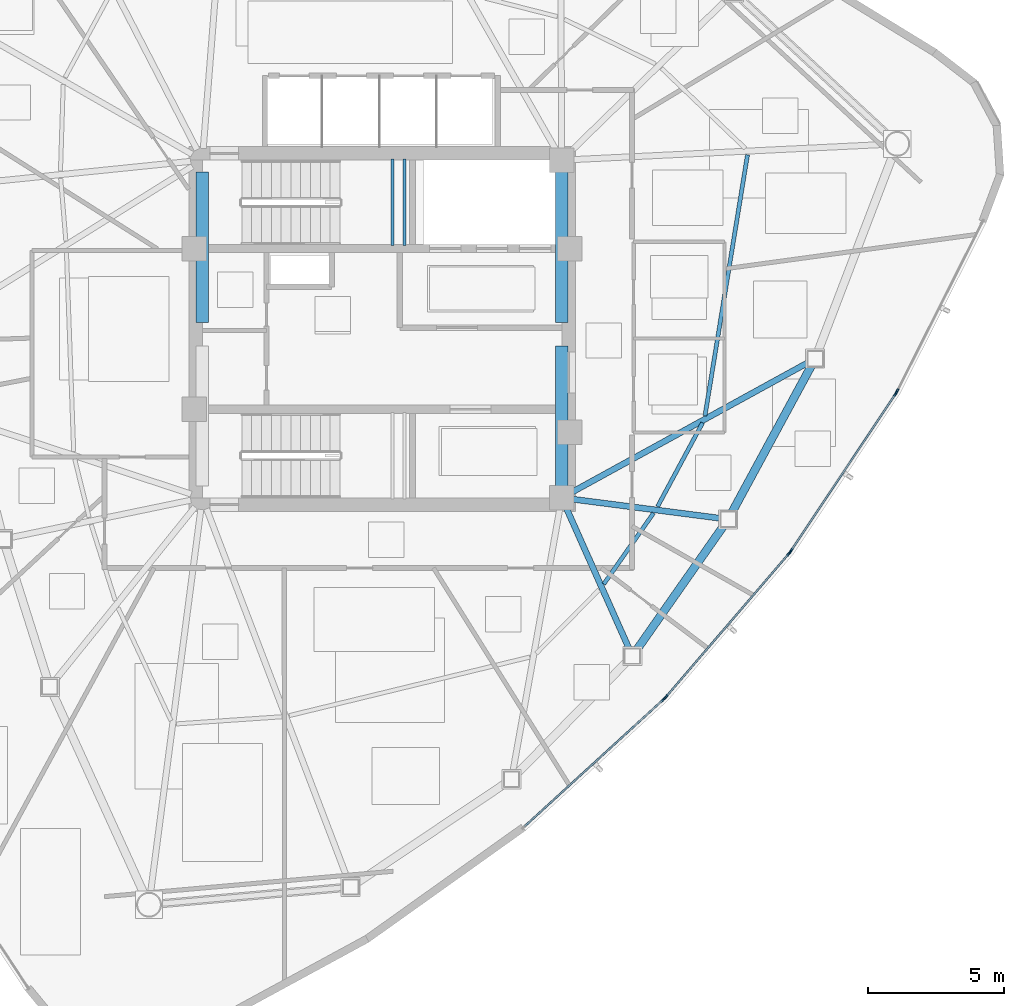
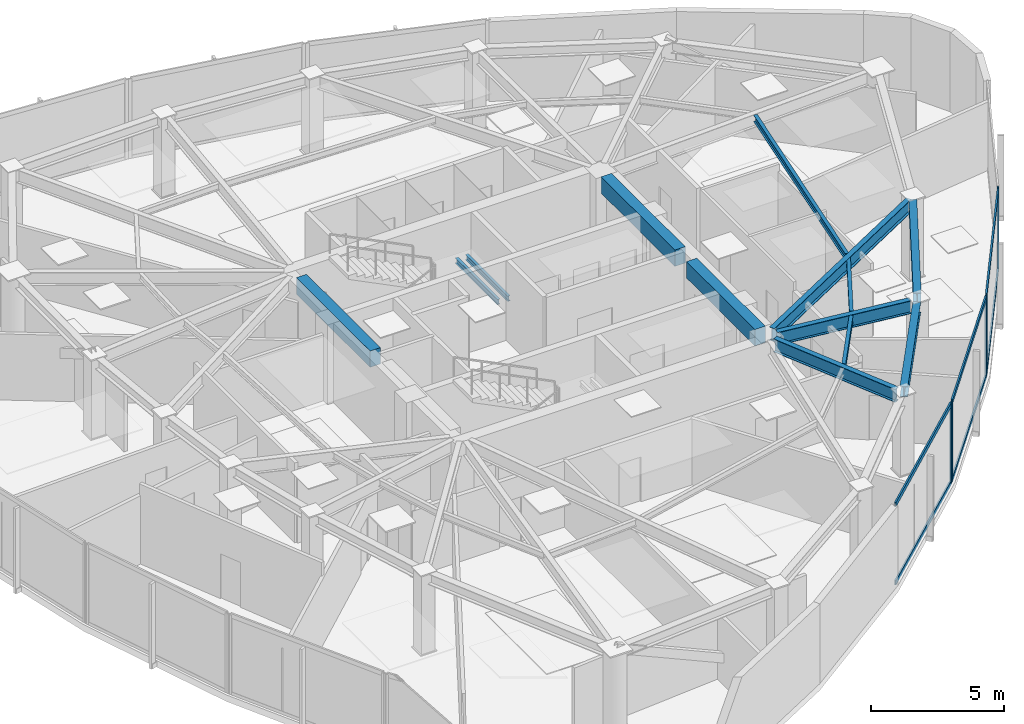
# One storey, part 4 of 14: 13 beams, 12 members, 4 elements without a shape of their own.
"""IFC4 building model written with IfcOpenShell, lengths in metres."""

import ifcopenshell
import ifcopenshell.guid

model = None  # the IFC model being written
_history = None  # IfcOwnerHistory: only IFC2X3 demands one
_inside = {}  # id of a spatial element -> (the spatial element, [elements in it])
_under = {}  # id of a project, library or spatial element -> (it, [spatial elements below it])
_declared = {}  # id of a project -> (the project, [libraries it declares])
_typed = {}  # id of a type object -> (the type object, [elements of that type])
_made_of = {}  # id of a material, layer set ... -> (it, [elements and type objects made of it])


def new_model(schema):
    """Start an empty IFC model of exactly this schema.

    Asked for "IFC4X3", IfcOpenShell would pick the latest addendum, in which some entities
    have other attributes; the version numbers below select the first issue.
    IFC2X3 requires an IfcOwnerHistory on every rooted entity: one is made here for all.
    """
    global model, _history
    if schema == "IFC4X3":
        model = ifcopenshell.file(schema_version=(4, 3, 0, 0))
    else:
        model = ifcopenshell.file(schema=schema)
    _inside.clear()
    _under.clear()
    _declared.clear()
    _typed.clear()
    _made_of.clear()
    _history = None
    if model.schema == "IFC2X3":
        org = make("IfcOrganization", Name="unknown")
        user = make(
            "IfcPersonAndOrganization",
            ThePerson=make("IfcPerson", FamilyName="unknown"),
            TheOrganization=org,
        )
        app = make(
            "IfcApplication",
            ApplicationDeveloper=org,
            Version="unknown",
            ApplicationFullName="unknown",
            ApplicationIdentifier="unknown",
        )
        _history = make(
            "IfcOwnerHistory",
            OwningUser=user,
            OwningApplication=app,
            ChangeAction="ADDED",
            CreationDate=0,
        )
    return model


def make(cls, **values):
    """One entity of the class cls with the attributes given. An attribute that is None is left unset."""
    return model.create_entity(
        cls, **{name: value for name, value in values.items() if value is not None}
    )


def rooted(cls, **values):
    """An entity with a GlobalId (a new one), such as an element, a storey or a relation."""
    return make(cls, GlobalId=ifcopenshell.guid.new(), OwnerHistory=_history, **values)


def si_unit(unit_type, name, prefix=None):
    """IfcSIUnit, for example si_unit("LENGTHUNIT", "METRE", prefix="MILLI")."""
    return make("IfcSIUnit", UnitType=unit_type, Prefix=prefix, Name=name)


def assignment(units):
    """IfcUnitAssignment: the units of a project."""
    return None if units is None else make("IfcUnitAssignment", Units=units)


def point(xyz):
    """IfcCartesianPoint."""
    return None if xyz is None else make("IfcCartesianPoint", Coordinates=xyz)


def direction(xyz):
    """IfcDirection."""
    return None if xyz is None else make("IfcDirection", DirectionRatios=xyz)


def frame(location, z_axis=None, x_axis=None):
    """IfcAxis2Placement3D, a coordinate frame: its origin and axes. An axis left out is left unset."""
    return make(
        "IfcAxis2Placement3D",
        Location=point(location),
        Axis=direction(z_axis),
        RefDirection=direction(x_axis),
    )


def frame_2d(location, x_axis=None):
    """IfcAxis2Placement2D, a coordinate frame in the plane: its origin and x axis."""
    return make(
        "IfcAxis2Placement2D", Location=point(location), RefDirection=direction(x_axis)
    )


def origin():
    """The frame at (0, 0, 0) with its axes left unset."""
    return frame((0.0, 0.0, 0.0))


def origin_2d():
    """The frame at (0, 0) in the plane with its x axis left unset."""
    return frame_2d((0.0, 0.0))


def place(relative_to, where):
    """IfcLocalPlacement: puts the frame where relative to a parent placement (None: the world)."""
    return make(
        "IfcLocalPlacement", PlacementRelTo=relative_to, RelativePlacement=where
    )


def context(
    kind, dimensions, precision=None, world=None, true_north=None, identifier=None
):
    """IfcGeometricRepresentationContext, for example the 3D "Model" context."""
    return make(
        "IfcGeometricRepresentationContext",
        ContextIdentifier=identifier,
        ContextType=kind,
        CoordinateSpaceDimension=dimensions,
        Precision=precision,
        WorldCoordinateSystem=world,
        TrueNorth=true_north,
    )


def subcontext(parent, identifier, kind, view, scale=None):
    """IfcGeometricRepresentationSubContext, for example "Body" below "Model"."""
    return make(
        "IfcGeometricRepresentationSubContext",
        ContextIdentifier=identifier,
        ContextType=kind,
        ParentContext=parent,
        TargetScale=scale,
        TargetView=view,
    )


def project(units=None, contexts=None):
    """IfcProject with its units and contexts."""
    return rooted(
        "IfcProject",
        Name="project",
        RepresentationContexts=contexts,
        UnitsInContext=assignment(units),
    )


def spatial(cls, under=None, at=None, **own):
    """A site, building, storey or space (cls), placed at a placement, below another one or the project."""
    s = rooted(cls, ObjectPlacement=at, **own)
    if under is not None:
        _under.setdefault(under.id(), (under, []))[1].append(s)
    return s


def profile(cls, at=None, kind="AREA", **sizes):
    """A parametric profile (cls). Its sizes go by their IFC names, for example OverallWidth=200.0."""
    return make(cls, ProfileType=kind, Position=at, **sizes)


def rectangle(**sizes):
    """IfcRectangleProfileDef."""
    return profile("IfcRectangleProfileDef", **sizes)


def hollow_rectangle(**sizes):
    """IfcRectangleHollowProfileDef."""
    return profile("IfcRectangleHollowProfileDef", **sizes)


def i_section(**sizes):
    """IfcIShapeProfileDef."""
    return profile("IfcIShapeProfileDef", **sizes)


def extrude(swept, where, along, depth):
    """IfcExtrudedAreaSolid: the profile swept, set in the frame where, extruded along a direction by depth."""
    return make(
        "IfcExtrudedAreaSolid",
        SweptArea=swept,
        Position=where,
        ExtrudedDirection=direction(along),
        Depth=depth,
    )


def shape(context_of_items, identifier, shape_type, items):
    """IfcShapeRepresentation: the items that make up one representation, for example the "Body"."""
    return make(
        "IfcShapeRepresentation",
        ContextOfItems=context_of_items,
        RepresentationIdentifier=identifier,
        RepresentationType=shape_type,
        Items=items,
    )


def source(mapping_origin, context_of_items, identifier, shape_type, items):
    """IfcRepresentationMap: a shape defined once, which mapped items show again and again."""
    return make(
        "IfcRepresentationMap",
        MappingOrigin=mapping_origin,
        MappedRepresentation=shape(context_of_items, identifier, shape_type, items),
    )


def transform(
    local_origin,
    x_axis=None,
    y_axis=None,
    z_axis=None,
    scale=None,
    scale2=None,
    scale3=None,
    uniform=True,
):
    """IfcCartesianTransformationOperator3D, or its non-uniform kind. x_axis, y_axis, z_axis: its Axis1, 2, 3."""
    if uniform:
        return make(
            "IfcCartesianTransformationOperator3D",
            Axis1=direction(x_axis),
            Axis2=direction(y_axis),
            LocalOrigin=point(local_origin),
            Scale=scale,
            Axis3=direction(z_axis),
        )
    return make(
        "IfcCartesianTransformationOperator3DnonUniform",
        Axis1=direction(x_axis),
        Axis2=direction(y_axis),
        LocalOrigin=point(local_origin),
        Scale=scale,
        Axis3=direction(z_axis),
        Scale2=scale2,
        Scale3=scale3,
    )


def mapped(mapping_source, mapping_target):
    """IfcMappedItem: shows the shape of a source again, moved by a transform."""
    return make(
        "IfcMappedItem", MappingSource=mapping_source, MappingTarget=mapping_target
    )


def material(Name=None, Category=None):
    """IfcMaterial."""
    return make("IfcMaterial", Name=Name, Category=Category)


def layer(
    of_material, thickness, ventilated=None, Name=None, Category=None, Priority=None
):
    """IfcMaterialLayer: one layer of a wall or slab, of a material (None: an air gap)."""
    return make(
        "IfcMaterialLayer",
        Material=of_material,
        LayerThickness=thickness,
        IsVentilated=ventilated,
        Name=Name,
        Category=Category,
        Priority=Priority,
    )


def layer_set(layers, Name=None):
    """IfcMaterialLayerSet."""
    return make("IfcMaterialLayerSet", MaterialLayers=layers, LayerSetName=Name)


def material_profile(
    of_material, cross_section, Name=None, Category=None, Priority=None
):
    """IfcMaterialProfile: a cross section and its material."""
    return make(
        "IfcMaterialProfile",
        Name=Name,
        Material=of_material,
        Profile=cross_section,
        Priority=Priority,
        Category=Category,
    )


def profile_set(profiles, Name=None, composite=None):
    """IfcMaterialProfileSet."""
    return make(
        "IfcMaterialProfileSet",
        Name=Name,
        MaterialProfiles=profiles,
        CompositeProfile=composite,
    )


def made_of(thing, what):
    """Note that an element or type object is made of a material, layer set ...; save() writes the relation."""
    if what is not None:
        _made_of.setdefault(what.id(), (what, []))[1].append(thing)
    return thing


def type_object(cls, material=None, **own):
    """A type object (cls), such as IfcWallType, which elements share."""
    return made_of(rooted(cls, **own), material)


def type_shapes(of_type, sources):
    """Give a type object the sources (RepresentationMaps) that its elements show as mapped items."""
    of_type.RepresentationMaps = sources


def element(
    cls,
    number,
    at=None,
    inside=None,
    cuts=None,
    type_object=None,
    material=None,
    context=None,
    identifier="Body",
    shape_type=None,
    held_by="IfcProductDefinitionShape",
    body=None,
    shapes=None,
    **own,
):
    """One element of the class cls, such as IfcWall. Its Tag is "e" and its number.

    at: its placement. inside: the storey or other place that contains it. cuts: it is an
    opening in that element (IfcRelVoidsElement). A single representation is given by context,
    identifier, shape_type and body (its items); several are given by shapes. held_by: the class
    of the entity that holds the representations. save() writes the other relations.
    """
    e = rooted(cls, Tag="e%d" % number, ObjectPlacement=at, **own)
    if body is not None:
        shapes = [shape(context, identifier, shape_type, body)]
    if shapes is not None:
        e.Representation = make(held_by, Representations=shapes)
    if inside is not None:
        _inside.setdefault(inside.id(), (inside, []))[1].append(e)
    if cuts is not None:
        rooted(
            "IfcRelVoidsElement", RelatingBuildingElement=cuts, RelatedOpeningElement=e
        )
    if type_object is not None:
        _typed.setdefault(type_object.id(), (type_object, []))[1].append(e)
    return made_of(e, material)


def aggregate(whole, parts):
    """IfcRelAggregates: a whole, such as a stair, and the parts it consists of."""
    return rooted("IfcRelAggregates", RelatingObject=whole, RelatedObjects=parts)


def save(model, path):
    """Write the relations noted so far, then the file.

    IfcRelAggregates (storeys below a building ...), IfcRelContainedInSpatialStructure (elements
    in a storey), IfcRelDefinesByType, IfcRelAssociatesMaterial and IfcRelDeclares: one each for
    every whole, place, type object, material and project.
    """
    for whole, parts in _under.values():
        aggregate(whole, parts)
    for where, things in _inside.values():
        rooted(
            "IfcRelContainedInSpatialStructure",
            RelatedElements=things,
            RelatingStructure=where,
        )
    for kind, things in _typed.values():
        rooted("IfcRelDefinesByType", RelatedObjects=things, RelatingType=kind)
    for what, things in _made_of.values():
        rooted("IfcRelAssociatesMaterial", RelatedObjects=things, RelatingMaterial=what)
    for by, libraries in _declared.values():
        rooted("IfcRelDeclares", RelatingContext=by, RelatedDefinitions=libraries)
    model.write(path)


model = new_model("IFC4")

# Units and contexts
model_context = context("Model", 3, precision=1e-05, world=origin(), true_north=direction((0.0, 1.0)))
body_context = subcontext(model_context, "Body", "Model", "MODEL_VIEW")
ifc_project = project(units=[si_unit("LENGTHUNIT", "METRE"), si_unit("AREAUNIT", "SQUARE_METRE"), si_unit("VOLUMEUNIT", "CUBIC_METRE"), si_unit("PLANEANGLEUNIT", "RADIAN"), si_unit("MASSUNIT", "GRAM", prefix="KILO")], contexts=[model_context])

# Site, building, storey
site_placement = place(None, origin())
site = spatial("IfcSite", under=ifc_project, at=site_placement, CompositionType="ELEMENT")
building_placement = place(site_placement, origin())
building = spatial("IfcBuilding", under=site, at=building_placement, Name="Tavelor Broadcast Tower", CompositionType="ELEMENT")
storey_placement = place(building_placement, frame((0.0, 0.0, 234.0)))
storey = spatial("IfcBuildingStorey", under=building, at=storey_placement, Name="L55", CompositionType="ELEMENT", Elevation=234.0)

# Beams
ifc_material_1 = material(Name="Concrete C40/50", Category="concrete")
ifc_material_profile_1 = material_profile(ifc_material_1, rectangle(XDim=0.449951171875, YDim=0.75, at=origin_2d()), Name="RC 450x750")
ifc_profile_set_1 = profile_set([ifc_material_profile_1], Name="Concrete C40/50")
beam_type_1 = type_object("IfcBeamType", Name="Basement Core Trim Beam 450x750", PredefinedType="BEAM", material=ifc_profile_set_1)
for number, where, z_axis, x_axis, name in (
    (1, (43.39990234375, 45.23193359375, 3.27490234375), (0.0, 1.0, 0.0), (-1.0, 0.0, 0.0), "L55 Core West-N Tie Girder"),
    (2, (56.60009765625, 45.23193359375, 3.27490234375), (0.0, 1.0, 0.0), (-1.0, 0.0, 0.0), "L55 Core East-N Tie Girder"),
):
    element("IfcBeam", number, at=place(storey_placement, frame(where, z_axis=z_axis, x_axis=x_axis)), inside=storey, type_object=beam_type_1, Name=name, PredefinedType="BEAM", context=body_context, shape_type="SweptSolid", body=[
        extrude(rectangle(XDim=0.449951171875, YDim=0.75, at=origin_2d()), origin(), (0.0, 0.0, 1.0), 5.5361328125),
    ])
beam_1_placement = place(storey_placement, frame((56.60009765625, 39.23193359375, 3.27490234375), z_axis=(0.0, 1.0, 0.0), x_axis=(-1.0, 0.0, 0.0)))
element("IfcBeam", 3, at=beam_1_placement, inside=storey, type_object=beam_type_1, Name="L55 Core East-S Tie Girder", PredefinedType="BEAM", context=body_context, shape_type="SweptSolid", body=[
    extrude(rectangle(XDim=0.449951171875, YDim=0.75, at=origin_2d()), origin(), (0.0, 0.0, 1.0), 5.135986328125),
])
ifc_material_2 = material(Name="Steel S355", Category="steel")
ifc_material_profile_2 = material_profile(ifc_material_2, i_section(OverallWidth=0.14990234375, OverallDepth=0.300048828125, WebThickness=0.007080078125, FlangeThickness=0.0107421875, at=origin_2d()), Name="IPE 300")
ifc_profile_set_2 = profile_set([ifc_material_profile_2], Name="Steel S355")
beam_type_2 = type_object("IfcBeamType", Name="Composite Floor Joist T5 IPE 300", PredefinedType="JOIST", material=ifc_profile_set_2)
beam_2_placement = place(storey_placement, frame((58.1435546875, 35.632568359375, 3.5), z_axis=(0.573982104788, 0.81886784244, 0.0), x_axis=(-0.81886784244, 0.573982104788, 0.0)))
element("IfcBeam", 4, at=beam_2_placement, inside=storey, type_object=beam_type_2, Name="L55 Secondary Composite Floor Joist 10", PredefinedType="JOIST", context=body_context, shape_type="SweptSolid", body=[
    extrude(i_section(OverallWidth=0.14990234375, OverallDepth=0.300048828125, WebThickness=0.007080078125, FlangeThickness=0.0107421875, at=origin_2d()), origin(), (0.0, 0.0, 1.0), 3.183349609375),
])
beam_3_placement = place(storey_placement, frame((60.11669921875, 38.476318359375, 3.5), z_axis=(0.473687126384, 0.880693196464, 0.0), x_axis=(-0.880693196464, 0.473687126384, 0.0)))
element("IfcBeam", 5, at=beam_3_placement, inside=storey, type_object=beam_type_2, Name="L55 Secondary Composite Floor Joist 11", PredefinedType="JOIST", context=body_context, shape_type="SweptSolid", body=[
    extrude(i_section(OverallWidth=0.14990234375, OverallDepth=0.300048828125, WebThickness=0.007080078125, FlangeThickness=0.0107421875, at=origin_2d()), origin(), (0.0, 0.0, 1.0), 3.492919921875),
])
beam_4_placement = place(storey_placement, frame((61.859619140625, 41.812744140625, 3.5), z_axis=(0.160809479217, 0.986985466658, 0.0), x_axis=(-0.986985466658, 0.160809479217, 0.0)))
element("IfcBeam", 6, at=beam_4_placement, inside=storey, type_object=beam_type_2, Name="L55 Secondary Composite Floor Joist 12", PredefinedType="JOIST", context=body_context, shape_type="SweptSolid", body=[
    extrude(i_section(OverallWidth=0.14990234375, OverallDepth=0.300048828125, WebThickness=0.007080078125, FlangeThickness=0.0107421875, at=origin_2d()), origin(), (0.0, 0.0, 1.0), 9.708984375),
])
ifc_material_profile_3 = material_profile(ifc_material_2, i_section(OverallWidth=0.300048828125, OverallDepth=0.489990234375, WebThickness=0.011962890625, FlangeThickness=0.02294921875, at=origin_2d()), Name="HEA 500")
ifc_profile_set_3 = profile_set([ifc_material_profile_3], Name="Steel S355")
beam_type_3 = type_object("IfcBeamType", Name="Perimeter Spandrel Beam T5 HEA 500", PredefinedType="SPANDREL", material=ifc_profile_set_3)
beam_5_placement = place(storey_placement, frame((59.357666015625, 33.222900390625, 3.405029296875), z_axis=(0.573798498873, 0.818996509572, 0.0), x_axis=(-0.818996509572, 0.573798498873, 0.0)))
element("IfcBeam", 7, at=beam_5_placement, inside=storey, type_object=beam_type_3, Name="L55 Framed-Tube Ring Spandrel 10", PredefinedType="SPANDREL", context=body_context, shape_type="SweptSolid", body=[
    extrude(i_section(OverallWidth=0.300048828125, OverallDepth=0.489990234375, WebThickness=0.011962890625, FlangeThickness=0.02294921875, at=origin_2d()), origin(), (0.0, 0.0, 1.0), 5.555908203125),
])
beam_6_placement = place(storey_placement, frame((62.84814453125, 38.26220703125, 3.405029296875), z_axis=(0.476295969148, 0.879285021921, 0.0), x_axis=(-0.879285021921, 0.476295969148, 0.0)))
element("IfcBeam", 8, at=beam_6_placement, inside=storey, type_object=beam_type_3, Name="L55 Framed-Tube Ring Spandrel 11", PredefinedType="SPANDREL", context=body_context, shape_type="SweptSolid", body=[
    extrude(i_section(OverallWidth=0.300048828125, OverallDepth=0.489990234375, WebThickness=0.011962890625, FlangeThickness=0.02294921875, at=origin_2d()), origin(), (0.0, 0.0, 1.0), 6.134521484375),
])
ifc_material_profile_4 = material_profile(ifc_material_2, i_section(OverallWidth=0.219970703125, OverallDepth=0.60009765625, WebThickness=0.011962890625, FlangeThickness=0.01904296875, at=origin_2d()), Name="IPE 600")
ifc_profile_set_4 = profile_set([ifc_material_profile_4], Name="Steel S355")
beam_type_4 = type_object("IfcBeamType", Name="Radial Floor Girder T5 IPE 600", PredefinedType="BEAM", material=ifc_profile_set_4)
beam_7_placement = place(storey_placement, frame((56.77587890625, 38.405517578125, 3.35009765625), z_axis=(0.407317885502, -0.913286450217, 0.0), x_axis=(0.913286450217, 0.407317885502, 0.0)))
element("IfcBeam", 9, at=beam_7_placement, inside=storey, type_object=beam_type_4, Name="L55 Radial Primary Floor Girder 10", PredefinedType="BEAM", context=body_context, shape_type="SweptSolid", body=[
    extrude(i_section(OverallWidth=0.219970703125, OverallDepth=0.60009765625, WebThickness=0.011962890625, FlangeThickness=0.01904296875, at=origin_2d()), origin(), (0.0, 0.0, 1.0), 5.64501953125),
])
beam_8_placement = place(storey_placement, frame((57.0283203125, 38.74462890625, 3.35009765625), z_axis=(0.991728752797, -0.12835139608, 0.0), x_axis=(0.12835139608, 0.991728752797, 0.0)))
element("IfcBeam", 10, at=beam_8_placement, inside=storey, type_object=beam_type_4, Name="L55 Radial Primary Floor Girder 11", PredefinedType="BEAM", context=body_context, shape_type="SweptSolid", body=[
    extrude(i_section(OverallWidth=0.219970703125, OverallDepth=0.60009765625, WebThickness=0.011962890625, FlangeThickness=0.01904296875, at=origin_2d()), origin(), (0.0, 0.0, 1.0), 5.44189453125),
])
beam_9_placement = place(storey_placement, frame((56.978759765625, 39.0078125, 3.35009765625), z_axis=(0.876594261461, 0.481230195201, 0.0), x_axis=(-0.481230195201, 0.876594261461, 0.0)))
element("IfcBeam", 11, at=beam_9_placement, inside=storey, type_object=beam_type_4, Name="L55 Radial Primary Floor Girder 12", PredefinedType="BEAM", context=body_context, shape_type="SweptSolid", body=[
    extrude(i_section(OverallWidth=0.219970703125, OverallDepth=0.60009765625, WebThickness=0.011962890625, FlangeThickness=0.01904296875, at=origin_2d()), origin(), (0.0, 0.0, 1.0), 9.8974609375),
])
ifc_material_profile_5 = material_profile(ifc_material_2, i_section(OverallWidth=0.1201171875, OverallDepth=0.239990234375, WebThickness=0.006103515625, FlangeThickness=0.009765625, at=origin_2d()), Name="IPE 240")
ifc_profile_set_5 = profile_set([ifc_material_profile_5], Name="Steel S355")
beam_type_5 = type_object("IfcBeamType", Name="Stairwell Landing Support Trimmer Beam IPE240", PredefinedType="BEAM", material=ifc_profile_set_5)
for number, where, z_axis, x_axis, name in (
    (12, (50.385009765625, 48.06005859375, 1.659912109375), (0.0, 1.0, 0.0), (-1.0, 0.0, 0.0), "L55 Stair Landing Support Beam 151"),
    (13, (50.824951171875, 48.06005859375, 1.659912109375), (0.0, 1.0, 0.0), (-1.0, 0.0, 0.0), "L55 Stair Landing Support Beam 152"),
):
    element("IfcBeam", number, at=place(storey_placement, frame(where, z_axis=z_axis, x_axis=x_axis)), inside=storey, type_object=beam_type_5, Name=name, PredefinedType="BEAM", context=body_context, shape_type="SweptSolid", body=[
        extrude(i_section(OverallWidth=0.1201171875, OverallDepth=0.239990234375, WebThickness=0.006103515625, FlangeThickness=0.009765625, at=origin_2d()), origin(), (0.0, 0.0, 1.0), 3.179931640625),
    ])

# Curtain wall, member
ifc_material_3 = material(Name="Architectural Anodized Aluminium", Category="aluminium")
ifc_layer = layer(ifc_material_3, 0.199951171875)
ifc_layer_set = layer_set([ifc_layer], Name="Architectural Anodized Aluminium")
curtain_wall_type = type_object("IfcCurtainWallType", Name="Tower High-Zone Triple-Glazed Curtain Wall CW04", PredefinedType="NOTDEFINED", material=ifc_layer_set)
curtain_wall_1_placement = place(storey_placement, origin())
curtain_wall_1 = element("IfcCurtainWall", 14, at=curtain_wall_1_placement, inside=storey, type_object=curtain_wall_type, Name="L55 Curtain Wall CW04 Run 593", PredefinedType="NOTDEFINED")
ifc_material_profile_6 = material_profile(ifc_material_3, hollow_rectangle(XDim=0.070068359375, YDim=0.199951171875, WallThickness=0.02197265625, at=origin_2d()), Name="RHS 70x200x22")
ifc_profile_set_6 = profile_set([ifc_material_profile_6], Name="Architectural Anodized Aluminium")
member_type_1 = type_object("IfcMemberType", Name="CW04 Extruded Aluminium Mullion 70x200", PredefinedType="MULLION", material=ifc_profile_set_6)
shared_shape_1 = source(origin(), body_context, "Body", "SweptSolid", [
    extrude(hollow_rectangle(XDim=0.070068359375, YDim=0.199951171875, WallThickness=0.02197265625, at=origin_2d()), origin(), (0.0, 0.0, 1.0), 3.64990234375),
])
type_shapes(member_type_1, [shared_shape_1])
member_1_placement = place(storey_placement, frame((60.352294921875, 31.409912109375, 0.0), z_axis=(0.0, 0.0, 1.0), x_axis=(-0.674620773895, 0.738164488057, 0.0)))
member_1 = element("IfcMember", 15, at=member_1_placement, type_object=member_type_1, Name="CW04 mullion 2", PredefinedType="MULLION", context=body_context, shape_type="MappedRepresentation", body=[
    mapped(shared_shape_1, transform((0.0, 0.0, 0.0), scale=1.0)),
])

# Curtain wall, members
curtain_wall_2_placement = place(storey_placement, origin())
curtain_wall_2 = element("IfcCurtainWall", 16, at=curtain_wall_2_placement, inside=storey, type_object=curtain_wall_type, Name="L55 Curtain Wall CW04 Run 594", PredefinedType="NOTDEFINED")
member_2_placement = place(storey_placement, frame((60.421630859375, 31.4814453125, 0.0), z_axis=(0.0, 0.0, 1.0), x_axis=(-0.758985080026, 0.651108015845, 0.0)))
member_2 = element("IfcMember", 17, at=member_2_placement, type_object=member_type_1, Name="CW04 mullion 1", PredefinedType="MULLION", context=body_context, shape_type="MappedRepresentation", body=[
    mapped(shared_shape_1, transform((0.0, 0.0, 0.0), scale=1.0)),
])
member_3_placement = place(storey_placement, frame((64.947509765625, 36.75732421875, 0.0), z_axis=(0.0, 0.0, 1.0), x_axis=(-0.758985080026, 0.651108015845, 0.0)))
member_3 = element("IfcMember", 18, at=member_3_placement, type_object=member_type_1, Name="CW04 mullion 2", PredefinedType="MULLION", context=body_context, shape_type="MappedRepresentation", body=[
    mapped(shared_shape_1, transform((0.0, 0.0, 0.0), scale=1.0)),
])

curtain_wall_3_placement = place(storey_placement, origin())
curtain_wall_3 = element("IfcCurtainWall", 19, at=curtain_wall_3_placement, inside=storey, type_object=curtain_wall_type, Name="L55 Curtain Wall CW04 Run 595", PredefinedType="NOTDEFINED")
member_4_placement = place(storey_placement, frame((65.0078125, 36.8369140625, 0.0), z_axis=(0.0, 0.0, 1.0), x_axis=(-0.83220364595, 0.554470099887, 0.0)))
member_4 = element("IfcMember", 20, at=member_4_placement, type_object=member_type_1, Name="CW04 mullion 1", PredefinedType="MULLION", context=body_context, shape_type="MappedRepresentation", body=[
    mapped(shared_shape_1, transform((0.0, 0.0, 0.0), scale=1.0)),
])
member_5_placement = place(storey_placement, frame((68.862060546875, 42.62158203125, 0.0), z_axis=(0.0, 0.0, 1.0), x_axis=(-0.83220364595, 0.554470099887, 0.0)))
member_5 = element("IfcMember", 21, at=member_5_placement, type_object=member_type_1, Name="CW04 mullion 2", PredefinedType="MULLION", context=body_context, shape_type="MappedRepresentation", body=[
    mapped(shared_shape_1, transform((0.0, 0.0, 0.0), scale=1.0)),
])

# Curtain wall, member
curtain_wall_4_placement = place(storey_placement, origin())
curtain_wall_4 = element("IfcCurtainWall", 22, at=curtain_wall_4_placement, inside=storey, type_object=curtain_wall_type, Name="L55 Curtain Wall CW04 Run 596", PredefinedType="NOTDEFINED")
member_6_placement = place(storey_placement, frame((68.912109375, 42.707763671875, 0.0), z_axis=(0.0, 0.0, 1.0), x_axis=(-0.893184604916, 0.449690183951, 0.0)))
member_6 = element("IfcMember", 23, at=member_6_placement, type_object=member_type_1, Name="CW04 mullion 1", PredefinedType="MULLION", context=body_context, shape_type="MappedRepresentation", body=[
    mapped(shared_shape_1, transform((0.0, 0.0, 0.0), scale=1.0)),
])
aggregate(curtain_wall_4, [member_6])

# Member
ifc_material_profile_7 = material_profile(ifc_material_3, hollow_rectangle(XDim=0.070068359375, YDim=0.199951171875, WallThickness=0.02197265625, at=origin_2d()), Name="RHS 70x200x22")
ifc_profile_set_7 = profile_set([ifc_material_profile_7], Name="Architectural Anodized Aluminium")
member_type_2 = type_object("IfcMemberType", Name="CW04 Extruded Aluminium Transom 70x200", PredefinedType="USERDEFINED", material=ifc_profile_set_7)
shared_shape_2 = source(origin(), body_context, "Body", "SweptSolid", [
    extrude(hollow_rectangle(XDim=0.070068359375, YDim=0.199951171875, WallThickness=0.02197265625, at=origin_2d()), origin(), (0.0, 0.0, 1.0), 6.89599609375),
])
member_7_placement = place(storey_placement, frame((55.236083984375, 26.734130859375, 0.034912109375), z_axis=(0.738167325856, 0.674617668786, 0.0), x_axis=(-0.674617668786, 0.738167325856, 0.0)))
member_7 = element("IfcMember", 24, at=member_7_placement, type_object=member_type_2, Name="CW04 transom 1.1", ObjectType="TRANSOM", PredefinedType="USERDEFINED", context=body_context, shape_type="MappedRepresentation", body=[
    mapped(shared_shape_2, transform((0.0, 0.0, 0.0), scale=1.0)),
])

member_8_placement = place(storey_placement, frame((55.236083984375, 26.734130859375, 3.614990234375), z_axis=(0.738167325856, 0.674617668786, 0.0), x_axis=(-0.674617668786, 0.738167325856, 0.0)))
member_8 = element("IfcMember", 25, at=member_8_placement, type_object=member_type_2, Name="CW04 transom 1.2", ObjectType="TRANSOM", PredefinedType="USERDEFINED", context=body_context, shape_type="MappedRepresentation", body=[
    mapped(shared_shape_2, transform((0.0, 0.0, 0.0), scale=1.0)),
])

aggregate(curtain_wall_1, [member_1, member_7, member_8])

shared_shape_3 = source(origin(), body_context, "Body", "SweptSolid", [
    extrude(hollow_rectangle(XDim=0.070068359375, YDim=0.199951171875, WallThickness=0.02197265625, at=origin_2d()), origin(), (0.0, 0.0, 1.0), 6.881103515625),
])
type_shapes(member_type_2, [shared_shape_2, shared_shape_3])
member_9_placement = place(storey_placement, frame((60.444580078125, 31.508056640625, 0.034912109375), z_axis=(0.651098120159, 0.758993569094, 0.0), x_axis=(-0.758993569094, 0.651098120159, 0.0)))
member_9 = element("IfcMember", 26, at=member_9_placement, type_object=member_type_2, Name="CW04 transom 1.1", ObjectType="TRANSOM", PredefinedType="USERDEFINED", context=body_context, shape_type="MappedRepresentation", body=[
    mapped(shared_shape_3, transform((0.0, 0.0, 0.0), scale=1.0)),
])

member_10_placement = place(storey_placement, frame((60.444580078125, 31.508056640625, 3.614990234375), z_axis=(0.651098120159, 0.758993569094, 0.0), x_axis=(-0.758993569094, 0.651098120159, 0.0)))
member_10 = element("IfcMember", 27, at=member_10_placement, type_object=member_type_2, Name="CW04 transom 1.2", ObjectType="TRANSOM", PredefinedType="USERDEFINED", context=body_context, shape_type="MappedRepresentation", body=[
    mapped(shared_shape_3, transform((0.0, 0.0, 0.0), scale=1.0)),
])

aggregate(curtain_wall_2, [member_2, member_3, member_9, member_10])

member_11_placement = place(storey_placement, frame((65.027099609375, 36.865966796875, 0.034912109375), z_axis=(0.554470924134, 0.83220309678, 0.0), x_axis=(-0.83220309678, 0.554470924134, 0.0)))
member_11 = element("IfcMember", 28, at=member_11_placement, type_object=member_type_2, Name="CW04 transom 1.1", ObjectType="TRANSOM", PredefinedType="USERDEFINED", context=body_context, shape_type="MappedRepresentation", body=[
    mapped(shared_shape_3, transform((0.0, 0.0, 0.0), scale=1.0)),
])

member_12_placement = place(storey_placement, frame((65.027099609375, 36.865966796875, 3.614990234375), z_axis=(0.554470924134, 0.83220309678, 0.0), x_axis=(-0.83220309678, 0.554470924134, 0.0)))
member_12 = element("IfcMember", 29, at=member_12_placement, type_object=member_type_2, Name="CW04 transom 1.2", ObjectType="TRANSOM", PredefinedType="USERDEFINED", context=body_context, shape_type="MappedRepresentation", body=[
    mapped(shared_shape_3, transform((0.0, 0.0, 0.0), scale=1.0)),
])

aggregate(curtain_wall_3, [member_4, member_5, member_11, member_12])

save(model, "model.ifc")
